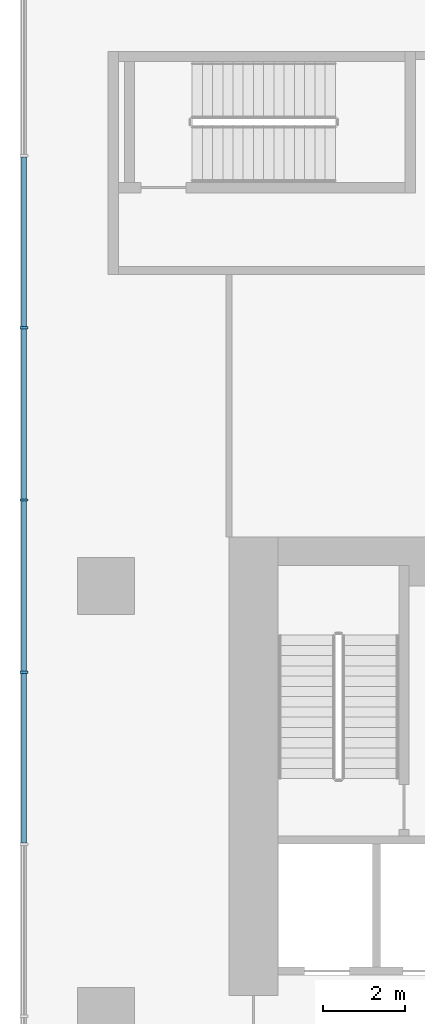
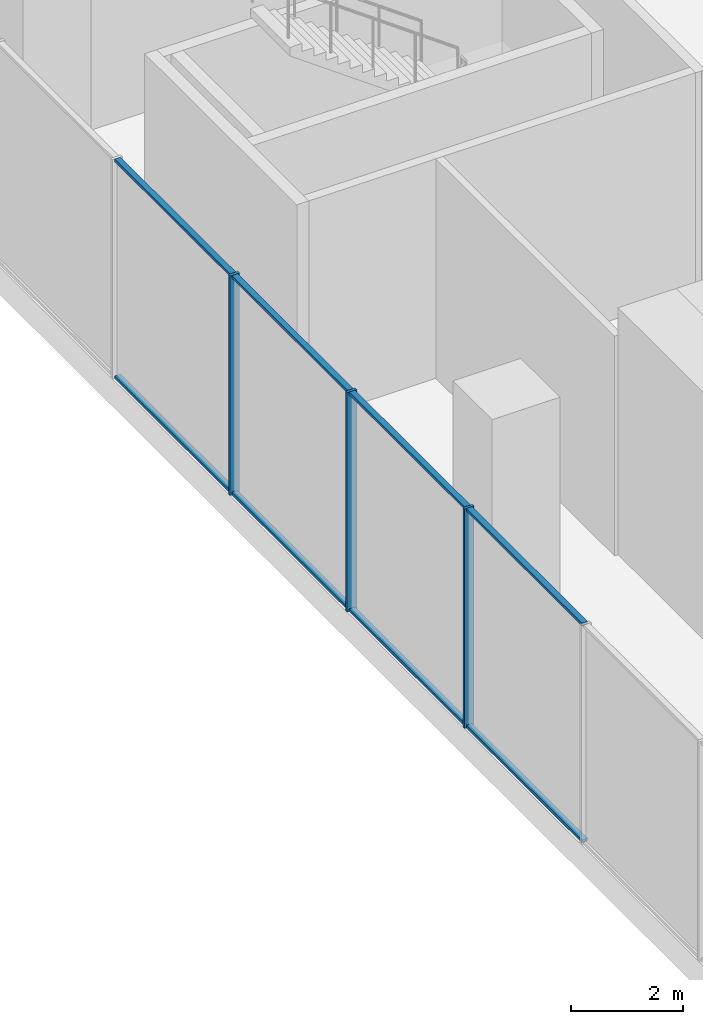
# One storey, part 3 of 22: 11 members, 1 element without a shape of its own.
"""IFC4 building model written with IfcOpenShell, lengths in metres."""

from ifc_helpers import new_model, si_unit, direction, frame, origin, origin_2d, place, context, subcontext, project, spatial, rectangle, extrude, source, transform, mapped, material, layer, layer_set, material_profile, profile_set, type_object, element, aggregate, save


model = new_model("IFC4")

# Units and contexts
model_context = context("Model", 3, precision=1e-05, world=origin(), true_north=direction((0.0, 1.0)))
body_context = subcontext(model_context, "Body", "Model", "MODEL_VIEW")
ifc_project = project(units=[si_unit("LENGTHUNIT", "METRE"), si_unit("AREAUNIT", "SQUARE_METRE"), si_unit("VOLUMEUNIT", "CUBIC_METRE"), si_unit("PLANEANGLEUNIT", "RADIAN"), si_unit("MASSUNIT", "GRAM", prefix="KILO")], contexts=[model_context])

# Site, building, storey
site_placement = place(None, origin())
site = spatial("IfcSite", under=ifc_project, at=site_placement, CompositionType="ELEMENT")
building_placement = place(site_placement, origin())
building = spatial("IfcBuilding", under=site, at=building_placement, Name="Aurelian Terraces", CompositionType="ELEMENT")
storey_placement = place(building_placement, frame((0.0, 0.0, 7.5)))
storey = spatial("IfcBuildingStorey", under=building, at=storey_placement, Name="L01", CompositionType="ELEMENT", Elevation=7.5)

# Curtain wall, members
ifc_material_1 = material(Name="Anodised aluminium and clear glazing", Category="aluminium")
ifc_layer = layer(ifc_material_1, 0.2)
ifc_layer_set = layer_set([ifc_layer], Name="Podium shopfront curtain wall")
curtain_wall_type = type_object("IfcCurtainWallType", Name="Podium shopfront curtain wall", PredefinedType="NOTDEFINED", material=ifc_layer_set)
curtain_wall_placement = place(storey_placement, origin())
curtain_wall = element("IfcCurtainWall", 1, at=curtain_wall_placement, inside=storey, type_object=curtain_wall_type, Name="Podium shopfront L01 F06.1", PredefinedType="NOTDEFINED")
ifc_material_2 = material(Name="Anodised aluminium", Category="aluminium")
ifc_material_profile_1 = material_profile(ifc_material_2, rectangle(XDim=0.2, YDim=0.06, at=origin_2d()))
ifc_profile_set_1 = profile_set([ifc_material_profile_1], Name="Anodised aluminium")
member_type_1 = type_object("IfcMemberType", Name="Podium shopfront mullion", PredefinedType="MULLION", material=ifc_profile_set_1)
shared_shape_1 = source(origin(), body_context, "Body", "SweptSolid", [
    extrude(rectangle(XDim=0.2, YDim=0.06, at=origin_2d()), origin(), (0.0, 0.0, 1.0), 4.8),
])
member_1_placement = place(storey_placement, frame((-2.0, 27.3, 0.0), z_axis=(0.0, 0.0, 1.0), x_axis=(1.0, 0.0, 0.0)))
member_1 = element("IfcMember", 2, at=member_1_placement, type_object=member_type_1, Name="CW1 mullion 15", PredefinedType="MULLION", context=body_context, shape_type="MappedRepresentation", body=[
    mapped(shared_shape_1, transform((0.0, 0.0, 0.0), scale=1.0)),
])
member_2_placement = place(storey_placement, frame((-2.0, 23.1, 0.0), z_axis=(0.0, 0.0, 1.0), x_axis=(1.0, 0.0, 0.0)))
member_2 = element("IfcMember", 3, at=member_2_placement, type_object=member_type_1, Name="CW1 mullion 16", PredefinedType="MULLION", context=body_context, shape_type="MappedRepresentation", body=[
    mapped(shared_shape_1, transform((0.0, 0.0, 0.0), scale=1.0)),
])
member_3_placement = place(storey_placement, frame((-2.0, 18.9, 0.0), z_axis=(0.0, 0.0, 1.0), x_axis=(1.0, 0.0, 0.0)))
member_3 = element("IfcMember", 4, at=member_3_placement, type_object=member_type_1, Name="CW1 mullion 17", PredefinedType="MULLION", context=body_context, shape_type="MappedRepresentation", body=[
    mapped(shared_shape_1, transform((0.0, 0.0, 0.0), scale=1.0)),
])
ifc_material_profile_2 = material_profile(ifc_material_2, rectangle(XDim=0.12, YDim=0.06, at=origin_2d()))
ifc_profile_set_2 = profile_set([ifc_material_profile_2], Name="Anodised aluminium")
member_type_2 = type_object("IfcMemberType", Name="Podium shopfront transom", PredefinedType="USERDEFINED", material=ifc_profile_set_2)
shared_shape_2 = source(origin(), body_context, "Body", "SweptSolid", [
    extrude(rectangle(XDim=0.12, YDim=0.06, at=origin_2d()), origin(), (0.0, 0.0, 1.0), 4.14),
])
member_4_placement = place(storey_placement, frame((-2.0, 31.47, 0.03), z_axis=(0.0, -1.0, 0.0), x_axis=(1.0, 0.0, 0.0)))
member_4 = element("IfcMember", 5, at=member_4_placement, type_object=member_type_2, Name="CW1 transom 14.1", ObjectType="TRANSOM", PredefinedType="USERDEFINED", context=body_context, shape_type="MappedRepresentation", body=[
    mapped(shared_shape_2, transform((0.0, 0.0, 0.0), scale=1.0)),
])
member_5_placement = place(storey_placement, frame((-2.0, 31.47, 4.77), z_axis=(0.0, -1.0, 0.0), x_axis=(1.0, 0.0, 0.0)))
member_5 = element("IfcMember", 6, at=member_5_placement, type_object=member_type_2, Name="CW1 transom 14.2", ObjectType="TRANSOM", PredefinedType="USERDEFINED", context=body_context, shape_type="MappedRepresentation", body=[
    mapped(shared_shape_2, transform((0.0, 0.0, 0.0), scale=1.0)),
])
member_6_placement = place(storey_placement, frame((-2.0, 27.27, 0.03), z_axis=(0.0, -1.0, 0.0), x_axis=(1.0, 0.0, 0.0)))
member_6 = element("IfcMember", 7, at=member_6_placement, type_object=member_type_2, Name="CW1 transom 15.1", ObjectType="TRANSOM", PredefinedType="USERDEFINED", context=body_context, shape_type="MappedRepresentation", body=[
    mapped(shared_shape_2, transform((0.0, 0.0, 0.0), scale=1.0)),
])
member_7_placement = place(storey_placement, frame((-2.0, 27.27, 4.77), z_axis=(0.0, -1.0, 0.0), x_axis=(1.0, 0.0, 0.0)))
member_7 = element("IfcMember", 8, at=member_7_placement, type_object=member_type_2, Name="CW1 transom 15.2", ObjectType="TRANSOM", PredefinedType="USERDEFINED", context=body_context, shape_type="MappedRepresentation", body=[
    mapped(shared_shape_2, transform((0.0, 0.0, 0.0), scale=1.0)),
])
member_8_placement = place(storey_placement, frame((-2.0, 23.07, 0.03), z_axis=(0.0, -1.0, 0.0), x_axis=(1.0, 0.0, 0.0)))
member_8 = element("IfcMember", 9, at=member_8_placement, type_object=member_type_2, Name="CW1 transom 16.1", ObjectType="TRANSOM", PredefinedType="USERDEFINED", context=body_context, shape_type="MappedRepresentation", body=[
    mapped(shared_shape_2, transform((0.0, 0.0, 0.0), scale=1.0)),
])
member_9_placement = place(storey_placement, frame((-2.0, 23.07, 4.77), z_axis=(0.0, -1.0, 0.0), x_axis=(1.0, 0.0, 0.0)))
member_9 = element("IfcMember", 10, at=member_9_placement, type_object=member_type_2, Name="CW1 transom 16.2", ObjectType="TRANSOM", PredefinedType="USERDEFINED", context=body_context, shape_type="MappedRepresentation", body=[
    mapped(shared_shape_2, transform((0.0, 0.0, 0.0), scale=1.0)),
])
member_10_placement = place(storey_placement, frame((-2.0, 18.87, 0.03), z_axis=(0.0, -1.0, 0.0), x_axis=(1.0, 0.0, 0.0)))
member_10 = element("IfcMember", 11, at=member_10_placement, type_object=member_type_2, Name="CW1 transom 17.1", ObjectType="TRANSOM", PredefinedType="USERDEFINED", context=body_context, shape_type="MappedRepresentation", body=[
    mapped(shared_shape_2, transform((0.0, 0.0, 0.0), scale=1.0)),
])
member_11_placement = place(storey_placement, frame((-2.0, 18.87, 4.77), z_axis=(0.0, -1.0, 0.0), x_axis=(1.0, 0.0, 0.0)))
member_11 = element("IfcMember", 12, at=member_11_placement, type_object=member_type_2, Name="CW1 transom 17.2", ObjectType="TRANSOM", PredefinedType="USERDEFINED", context=body_context, shape_type="MappedRepresentation", body=[
    mapped(shared_shape_2, transform((0.0, 0.0, 0.0), scale=1.0)),
])
aggregate(curtain_wall, [member_1, member_2, member_3, member_4, member_5, member_6, member_7, member_8, member_9, member_10, member_11])

save(model, "model.ifc")
